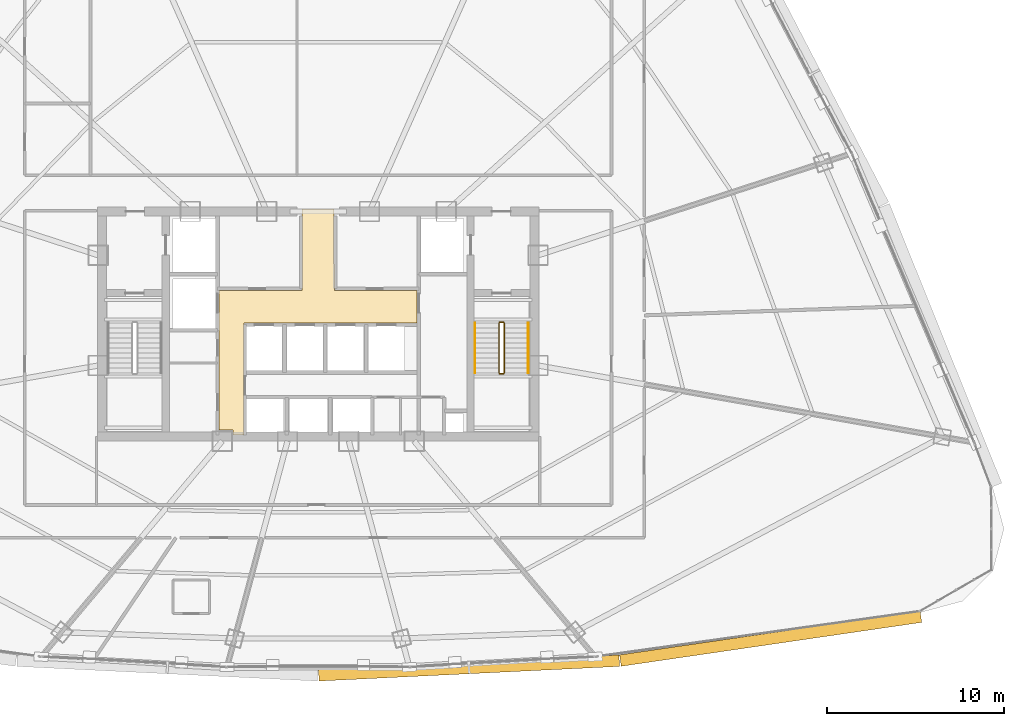
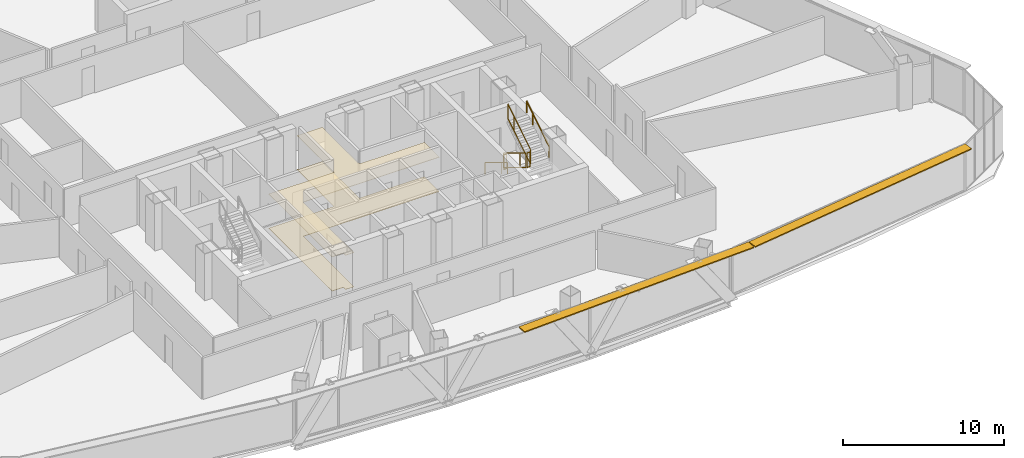
# One storey, part 35 of 37: 6 railings, 2 coverings, 2 shading devices.
"""IFC4 building model written with IfcOpenShell, lengths in metres."""

from ifc_helpers import new_model, si_unit, direction, frame, origin, origin_2d, place, context, subcontext, project, spatial, polyline, rectangle, outline, extrude, source, transform, mapped, material, layer, layer_set, type_object, element, save


model = new_model("IFC4")

# Units and contexts
model_context = context("Model", 3, precision=1e-05, world=origin(), true_north=direction((0.0, 1.0)))
body_context = subcontext(model_context, "Body", "Model", "MODEL_VIEW")
ifc_project = project(units=[si_unit("LENGTHUNIT", "METRE"), si_unit("AREAUNIT", "SQUARE_METRE"), si_unit("VOLUMEUNIT", "CUBIC_METRE"), si_unit("PLANEANGLEUNIT", "RADIAN"), si_unit("MASSUNIT", "GRAM", prefix="KILO"), si_unit("THERMODYNAMICTEMPERATUREUNIT", "KELVIN"), si_unit("POWERUNIT", "WATT")], contexts=[model_context])

# Site, building, storey
site_placement = place(None, origin())
site = spatial("IfcSite", under=ifc_project, at=site_placement, CompositionType="ELEMENT")
building_placement = place(site_placement, origin())
building = spatial("IfcBuilding", under=site, at=building_placement, Name="Yunzhuo Pagoda Commons", CompositionType="ELEMENT")
storey_placement = place(building_placement, frame((0.0, 0.0, 207.56005859375)))
storey = spatial("IfcBuildingStorey", under=building, at=storey_placement, Name="L52", CompositionType="ELEMENT", Elevation=207.56005859375)

# Coverings
ifc_material_1 = material(Name="Perforated gypsum acoustic ceiling tile")
ifc_layer_1 = layer(ifc_material_1, 0.030029296875)
ifc_layer_set_1 = layer_set([ifc_layer_1], Name="Perforated gypsum acoustic ceiling tile")
covering_type_1 = type_object("IfcCoveringType", Name="COV-CL2 Ceiling 30", PredefinedType="CEILING", material=ifc_layer_set_1)
covering_1_placement = place(storey_placement, frame((0.0, 0.0, 2.58984375)))
element("IfcCovering", 1, at=covering_1_placement, inside=storey, type_object=covering_type_1, Name="L52 lift lobby acoustic ceiling", PredefinedType="CEILING", context=body_context, shape_type="SweptSolid", body=[
    extrude(outline(polyline([(42.39990234375, 35.75), (47.080078125, 35.75), (47.080078125, 37.25), (47.10009765625, 37.25), (47.10009765625, 40.35009765625), (48.89990234375, 40.35009765625), (48.89990234375, 37.25), (48.919921875, 37.25), (48.919921875, 35.75), (53.580078125, 35.75), (53.580078125, 33.89990234375), (43.820068359375, 33.89990234375), (43.820068359375, 27.60009765625), (43.207763671875, 27.60009765625), (43.207763671875, 27.85009765625), (43.201904296875, 27.864013671875), (43.187744140625, 27.8701171875), (42.39990234375, 27.8701171875), (42.39990234375, 33.89990234375), (42.39990234375, 35.75)])), origin(), (0.0, 0.0, 1.0), 0.030029296875),
])
ifc_material_2 = material(Name="Porcelain ceramic floor tile")
ifc_layer_2 = layer(ifc_material_2, 0.02001953125)
ifc_layer_set_2 = layer_set([ifc_layer_2], Name="Porcelain ceramic floor tile")
covering_type_2 = type_object("IfcCoveringType", Name="COV-FL1 Flooring 20", PredefinedType="FLOORING", material=ifc_layer_set_2)
covering_2_placement = place(storey_placement, origin())
element("IfcCovering", 2, at=covering_2_placement, inside=storey, type_object=covering_type_2, Name="L52 lift lobby flooring", PredefinedType="FLOORING", context=body_context, shape_type="SweptSolid", body=[
    extrude(outline(polyline([(42.39990234375, 35.75), (47.080078125, 35.75), (47.080078125, 37.25), (47.10009765625, 37.25), (47.10009765625, 40.35009765625), (48.89990234375, 40.35009765625), (48.89990234375, 37.25), (48.919921875, 37.25), (48.919921875, 35.75), (53.580078125, 35.75), (53.580078125, 33.89990234375), (43.820068359375, 33.89990234375), (43.820068359375, 27.60009765625), (43.207763671875, 27.60009765625), (43.207763671875, 27.85009765625), (43.201904296875, 27.864013671875), (43.187744140625, 27.8701171875), (42.39990234375, 27.8701171875), (42.39990234375, 33.89990234375), (42.39990234375, 35.75)])), origin(), (0.0, 0.0, 1.0), 0.02001953125),
])

# Railings
ifc_material_3 = material(Name="Anodized aluminium 6063-T6", Category="aluminium")
railing_type_1 = type_object("IfcRailingType", Name="GR-ST2 Stair Well Guardrail 1160", PredefinedType="GUARDRAIL", material=ifc_material_3)
railing_1_placement = place(storey_placement, frame((58.199951171875, 33.89990234375, 0.172607421875)))
element("IfcRailing", 3, at=railing_1_placement, inside=storey, type_object=railing_type_1, Name="L52 ST2 stair guard 1", PredefinedType="GUARDRAIL", context=body_context, shape_type="SweptSolid", body=[
    extrude(rectangle(XDim=0.048095703125, YDim=0.048095703125, at=origin_2d()), frame((0.0, 0.0, 1.1259765625), z_axis=(0.0, -0.851069175582, 0.525053576669), x_axis=(1.0, 0.0, 0.0)), (0.0, 0.0, 1.0), 3.289794921875),
    extrude(rectangle(XDim=0.048095703125, YDim=0.048095703125, at=origin_2d()), frame((0.0, 0.0, 0.02392578125), z_axis=(0.0, -0.851069175582, 0.525053576669), x_axis=(1.0, 0.0, 0.0)), (0.0, 0.0, 1.0), 3.289794921875),
    extrude(rectangle(XDim=0.0419921875, YDim=0.0419921875, at=origin_2d()), origin(), (0.0, 0.0, 1.0), 1.101806640625),
    extrude(rectangle(XDim=0.0419921875, YDim=0.0419921875, at=origin_2d()), frame((0.0, -2.04248046875, 1.260009765625)), (0.0, 0.0, 1.0), 1.101806640625),
    extrude(rectangle(XDim=0.0419921875, YDim=0.0419921875, at=origin_2d()), frame((0.0, -2.7998046875, 1.727294921875)), (0.0, 0.0, 1.0), 1.101806640625),
])
railing_2_placement = place(storey_placement, frame((58.25, 31.050048828125, 1.89990234375)))
element("IfcRailing", 4, at=railing_2_placement, inside=storey, type_object=railing_type_1, Name="L52 ST2 stair guard 2", PredefinedType="GUARDRAIL", context=body_context, shape_type="SweptSolid", body=[
    extrude(rectangle(XDim=0.048095703125, YDim=0.048095703125, at=origin_2d()), frame((0.0, 0.0, 1.1259765625), z_axis=(1.0, 0.0, 0.0), x_axis=(0.0, 1.0, 0.0)), (0.0, 0.0, 1.0), 0.199951171875),
    extrude(rectangle(XDim=0.048095703125, YDim=0.048095703125, at=origin_2d()), frame((0.0, 0.0, 0.02392578125), z_axis=(1.0, 0.0, 0.0), x_axis=(0.0, 1.0, 0.0)), (0.0, 0.0, 1.0), 0.199951171875),
    extrude(rectangle(XDim=0.0419921875, YDim=0.0419921875, at=origin_2d()), origin(), (0.0, 0.0, 1.0), 1.101806640625),
    extrude(rectangle(XDim=0.0419921875, YDim=0.0419921875, at=origin_2d()), frame((0.199951171875, 0.0, 0.0)), (0.0, 0.0, 1.0), 1.101806640625),
])
railing_3_placement = place(storey_placement, frame((58.5, 31.10009765625, 2.07275390625)))
element("IfcRailing", 5, at=railing_3_placement, inside=storey, type_object=railing_type_1, Name="L52 ST2 stair guard 3", PredefinedType="GUARDRAIL", context=body_context, shape_type="SweptSolid", body=[
    extrude(rectangle(XDim=0.048095703125, YDim=0.048095703125, at=origin_2d()), frame((0.0, 0.0, 1.1259765625), z_axis=(0.0, 0.851069175582, 0.525053576669), x_axis=(-1.0, 0.0, 0.0)), (0.0, 0.0, 1.0), 3.289794921875),
    extrude(rectangle(XDim=0.048095703125, YDim=0.048095703125, at=origin_2d()), frame((0.0, 0.0, 0.02392578125), z_axis=(0.0, 0.851069175582, 0.525053576669), x_axis=(-1.0, 0.0, 0.0)), (0.0, 0.0, 1.0), 3.289794921875),
    extrude(rectangle(XDim=0.0419921875, YDim=0.0419921875, at=origin_2d()), origin(), (0.0, 0.0, 1.0), 1.101806640625),
    extrude(rectangle(XDim=0.0419921875, YDim=0.0419921875, at=origin_2d()), frame((0.0, 2.04248046875, 1.260009765625)), (0.0, 0.0, 1.0), 1.101806640625),
    extrude(rectangle(XDim=0.0419921875, YDim=0.0419921875, at=origin_2d()), frame((0.0, 2.7998046875, 1.727294921875)), (0.0, 0.0, 1.0), 1.101806640625),
])
railing_4_placement = place(storey_placement, frame((58.25, 33.949951171875, 0.0)))
element("IfcRailing", 6, at=railing_4_placement, inside=storey, type_object=railing_type_1, Name="L52 ST2 stair guard 4", PredefinedType="GUARDRAIL", context=body_context, shape_type="SweptSolid", body=[
    extrude(rectangle(XDim=0.048095703125, YDim=0.048095703125, at=origin_2d()), frame((0.0, 0.0, 1.1259765625), z_axis=(1.0, 0.0, 0.0), x_axis=(0.0, 1.0, 0.0)), (0.0, 0.0, 1.0), 0.199951171875),
    extrude(rectangle(XDim=0.048095703125, YDim=0.048095703125, at=origin_2d()), frame((0.0, 0.0, 0.02392578125), z_axis=(1.0, 0.0, 0.0), x_axis=(0.0, 1.0, 0.0)), (0.0, 0.0, 1.0), 0.199951171875),
    extrude(rectangle(XDim=0.0419921875, YDim=0.0419921875, at=origin_2d()), origin(), (0.0, 0.0, 1.0), 1.101806640625),
    extrude(rectangle(XDim=0.0419921875, YDim=0.0419921875, at=origin_2d()), frame((0.199951171875, 0.0, 0.0)), (0.0, 0.0, 1.0), 1.101806640625),
])
railing_type_2 = type_object("IfcRailingType", Name="HR-ST2 Stair Handrail 900", PredefinedType="HANDRAIL", material=ifc_material_3)
railing_5_placement = place(storey_placement, frame((56.85009765625, 33.89990234375, 0.172607421875)))
element("IfcRailing", 7, at=railing_5_placement, inside=storey, type_object=railing_type_2, Name="L52 ST2 stair handrail 1", PredefinedType="HANDRAIL", context=body_context, shape_type="SweptSolid", body=[
    extrude(rectangle(XDim=0.048095703125, YDim=0.048095703125, at=origin_2d()), frame((0.0, 0.0, 0.8759765625), z_axis=(0.0, -0.851069175582, 0.525053576669), x_axis=(1.0, 0.0, 0.0)), (0.0, 0.0, 1.0), 3.289794921875),
    extrude(rectangle(XDim=0.0419921875, YDim=0.0419921875, at=origin_2d()), origin(), (0.0, 0.0, 1.0), 0.851806640625),
    extrude(rectangle(XDim=0.0419921875, YDim=0.0419921875, at=origin_2d()), frame((0.0, -2.04248046875, 1.260009765625)), (0.0, 0.0, 1.0), 0.851806640625),
    extrude(rectangle(XDim=0.0419921875, YDim=0.0419921875, at=origin_2d()), frame((0.0, -2.7998046875, 1.727294921875)), (0.0, 0.0, 1.0), 0.851806640625),
])
railing_6_placement = place(storey_placement, frame((59.85009765625, 31.10009765625, 2.07275390625)))
element("IfcRailing", 8, at=railing_6_placement, inside=storey, type_object=railing_type_2, Name="L52 ST2 stair handrail 2", PredefinedType="HANDRAIL", context=body_context, shape_type="SweptSolid", body=[
    extrude(rectangle(XDim=0.048095703125, YDim=0.048095703125, at=origin_2d()), frame((0.0, 0.0, 0.8759765625), z_axis=(0.0, 0.851069175582, 0.525053576669), x_axis=(-1.0, 0.0, 0.0)), (0.0, 0.0, 1.0), 3.289794921875),
    extrude(rectangle(XDim=0.0419921875, YDim=0.0419921875, at=origin_2d()), origin(), (0.0, 0.0, 1.0), 0.851806640625),
    extrude(rectangle(XDim=0.0419921875, YDim=0.0419921875, at=origin_2d()), frame((0.0, 2.04248046875, 1.260009765625)), (0.0, 0.0, 1.0), 0.851806640625),
    extrude(rectangle(XDim=0.0419921875, YDim=0.0419921875, at=origin_2d()), frame((0.0, 2.7998046875, 1.727294921875)), (0.0, 0.0, 1.0), 0.851806640625),
])

# Shading devices
ifc_layer_3 = layer(ifc_material_3, 0.080078125)
ifc_layer_set_3 = layer_set([ifc_layer_3], Name="Anodized aluminium 6063-T6")
shading_device_type = type_object("IfcShadingDeviceType", Name="SH-SUN1 Pagoda Horizontal Sunshade Eave 650", PredefinedType="USERDEFINED", material=ifc_layer_set_3)
shared_shape_1 = source(origin(), body_context, "Body", "SweptSolid", [
    extrude(rectangle(XDim=17.13525390625, YDim=0.64990234375, at=origin_2d()), origin(), (0.0, 0.0, 1.0), 0.080078125),
])
shading_device_1_placement = place(storey_placement, frame((73.527587890625, 16.1044921875, 3.4599609375), z_axis=(0.0, 0.0, 1.0), x_axis=(0.989510666697, 0.144459823108, 0.0)))
element("IfcShadingDevice", 9, at=shading_device_1_placement, inside=storey, type_object=shading_device_type, Name="L52 horizontal pagoda sunshade eave F1.4", ObjectType="SUNSHADE", PredefinedType="USERDEFINED", context=body_context, shape_type="MappedRepresentation", body=[
    mapped(shared_shape_1, transform((0.0, 0.0, 0.0), scale=1.0)),
])
shared_shape_2 = source(origin(), body_context, "Body", "SweptSolid", [
    extrude(rectangle(XDim=16.975341796875, YDim=0.64990234375, at=origin_2d()), origin(), (0.0, 0.0, 1.0), 0.080078125),
])
shading_device_2_placement = place(storey_placement, frame((56.50927734375, 14.4482421875, 3.4599609375), z_axis=(0.0, 0.0, 1.0), x_axis=(0.998818043775, 0.04860571396, 0.0)))
element("IfcShadingDevice", 10, at=shading_device_2_placement, inside=storey, type_object=shading_device_type, Name="L52 horizontal pagoda sunshade eave F1.3", ObjectType="SUNSHADE", PredefinedType="USERDEFINED", context=body_context, shape_type="MappedRepresentation", body=[
    mapped(shared_shape_2, transform((0.0, 0.0, 0.0), scale=1.0)),
])

save(model, "model.ifc")
